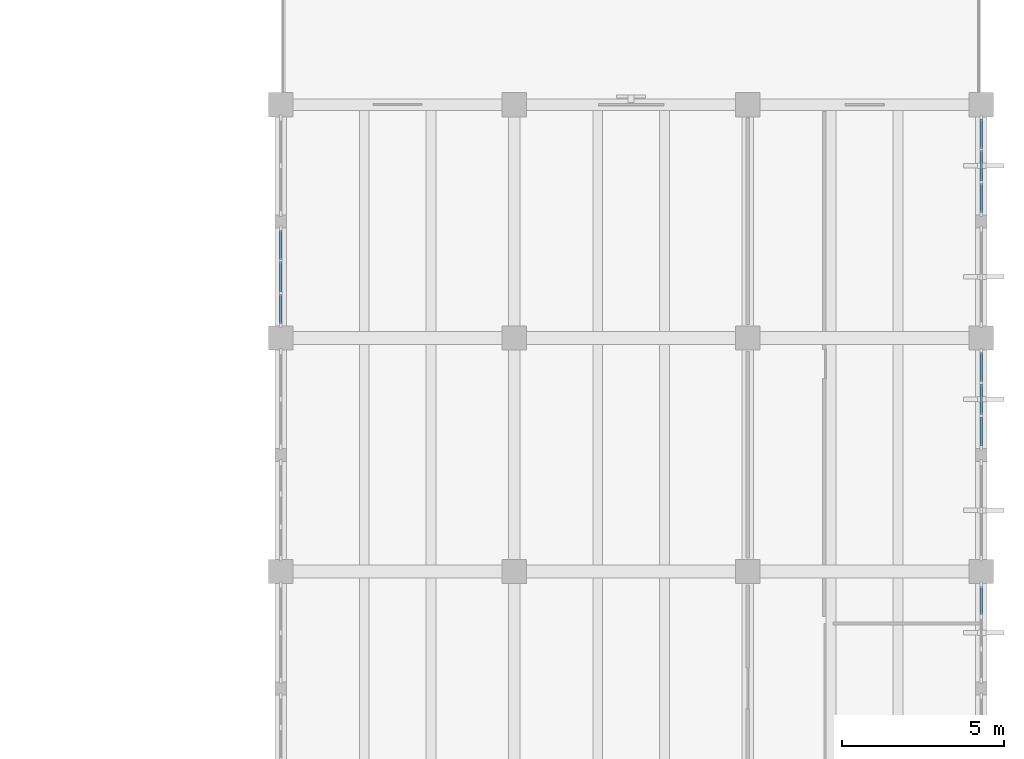
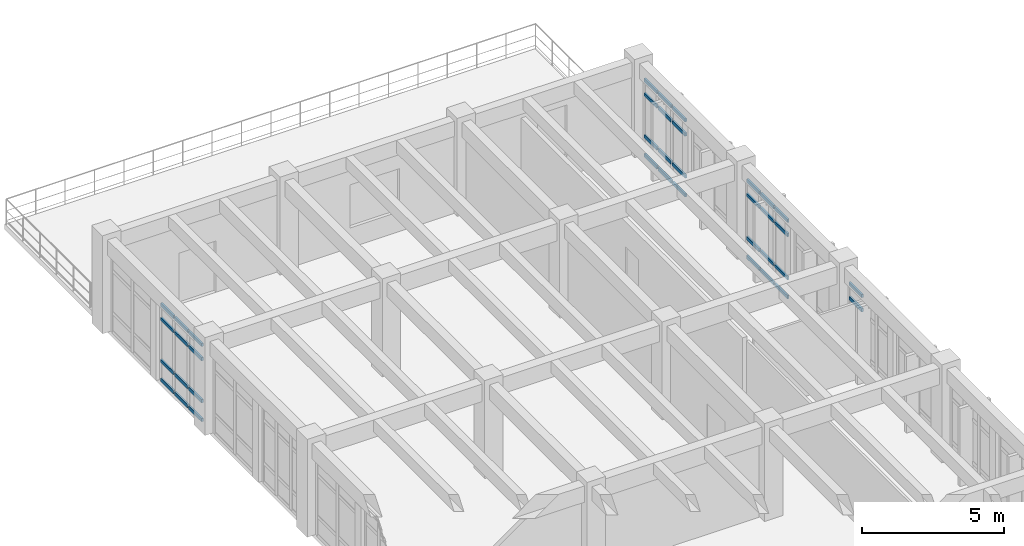
# One storey, part 74 of 136: 38 members, 4 elements without a shape of their own.
"""IFC4 building model written with IfcOpenShell, lengths in metres."""

from ifc_helpers import new_model, si_unit, direction, frame, origin, origin_2d, place, context, subcontext, project, spatial, rectangle, extrude, material, layer, layer_set, material_profile, profile_set, type_object, element, aggregate, save


model = new_model("IFC4")

# Units and contexts
model_context = context("Model", 3, precision=1e-05, world=origin(), true_north=direction((0.0, 1.0)))
body_context = subcontext(model_context, "Body", "Model", "MODEL_VIEW")
ifc_project = project(units=[si_unit("LENGTHUNIT", "METRE"), si_unit("AREAUNIT", "SQUARE_METRE"), si_unit("VOLUMEUNIT", "CUBIC_METRE"), si_unit("PLANEANGLEUNIT", "RADIAN"), si_unit("MASSUNIT", "GRAM", prefix="KILO")], contexts=[model_context])

# Site, building, storey
site_placement = place(None, origin())
site = spatial("IfcSite", under=ifc_project, at=site_placement, CompositionType="ELEMENT")
building_placement = place(site_placement, origin())
building = spatial("IfcBuilding", under=site, at=building_placement, Name="Koriwan Promenade Central Fire Station", CompositionType="ELEMENT")
storey_placement = place(building_placement, frame((0.0, 0.0, 5.39990234375)))
storey = spatial("IfcBuildingStorey", under=building, at=storey_placement, Name="L01", CompositionType="ELEMENT", Elevation=5.39990234375)

# Curtain wall, members
ifc_material_1 = material(Name="Aluminium EN AW-6063-T6 and low-E glazing", Category="aluminium")
ifc_layer_1 = layer(ifc_material_1, 0.159912109375, Name="Aluminium EN AW-6063-T6 and low-E glazing")
ifc_layer_set_1 = layer_set([ifc_layer_1], Name="Aluminium EN AW-6063-T6 and low-E glazing")
curtain_wall_type_1 = type_object("IfcCurtainWallType", Name="CurtainWall_71_303x330", PredefinedType="USERDEFINED", material=ifc_layer_set_1)
curtain_wall_1_placement = place(storey_placement, origin())
curtain_wall_1 = element("IfcCurtainWall", 1, at=curtain_wall_1_placement, inside=storey, type_object=curtain_wall_type_1, Name="V5 L01 unitised curtain wall 187", ObjectType="UNITISED CURTAIN WALL", PredefinedType="USERDEFINED")
ifc_material_2 = material(Name="Aluminium EN AW-6063-T6", Category="aluminium")
ifc_material_profile = material_profile(ifc_material_2, rectangle(XDim=0.074951171875, YDim=0.139892578125, at=origin_2d()), Name="ALU-TRN-75x140")
ifc_profile_set = profile_set([ifc_material_profile], Name="Aluminium EN AW-6063-T6")
member_type = type_object("IfcMemberType", Name="CWTransom_ALU-TRN-75x140", PredefinedType="USERDEFINED", material=ifc_profile_set)
member_1_placement = place(storey_placement, frame((151.199951171875, 65.25, 0.03759765625), z_axis=(0.0, 1.0, 0.0), x_axis=(-1.0, 0.0, 0.0)))
member_1 = element("IfcMember", 2, at=member_1_placement, type_object=member_type, Name="CW-71 transom 1.1", ObjectType="TRANSOM", PredefinedType="USERDEFINED", context=body_context, shape_type="SweptSolid", body=[
    extrude(rectangle(XDim=0.074951171875, YDim=0.139892578125, at=origin_2d()), origin(), (0.0, 0.0, 1.0), 0.895751953125),
])
member_2_placement = place(storey_placement, frame((151.199951171875, 65.25, 0.85009765625), z_axis=(0.0, 1.0, 0.0), x_axis=(-1.0, 0.0, 0.0)))
member_2 = element("IfcMember", 3, at=member_2_placement, type_object=member_type, Name="CW-71 transom 1.2", ObjectType="TRANSOM", PredefinedType="USERDEFINED", context=body_context, shape_type="SweptSolid", body=[
    extrude(rectangle(XDim=0.074951171875, YDim=0.139892578125, at=origin_2d()), origin(), (0.0, 0.0, 1.0), 0.895751953125),
])
member_3_placement = place(storey_placement, frame((151.199951171875, 65.25, 2.650146484375), z_axis=(0.0, 1.0, 0.0), x_axis=(-1.0, 0.0, 0.0)))
member_3 = element("IfcMember", 4, at=member_3_placement, type_object=member_type, Name="CW-71 transom 1.3", ObjectType="TRANSOM", PredefinedType="USERDEFINED", context=body_context, shape_type="SweptSolid", body=[
    extrude(rectangle(XDim=0.074951171875, YDim=0.139892578125, at=origin_2d()), origin(), (0.0, 0.0, 1.0), 0.895751953125),
])
member_4_placement = place(storey_placement, frame((151.199951171875, 65.25, 3.2626953125), z_axis=(0.0, 1.0, 0.0), x_axis=(-1.0, 0.0, 0.0)))
member_4 = element("IfcMember", 5, at=member_4_placement, type_object=member_type, Name="CW-71 transom 1.4", ObjectType="TRANSOM", PredefinedType="USERDEFINED", context=body_context, shape_type="SweptSolid", body=[
    extrude(rectangle(XDim=0.074951171875, YDim=0.139892578125, at=origin_2d()), origin(), (0.0, 0.0, 1.0), 0.895751953125),
])
member_5_placement = place(storey_placement, frame((151.199951171875, 66.220947265625, 0.03759765625), z_axis=(0.0, 1.0, 0.0), x_axis=(-1.0, 0.0, 0.0)))
member_5 = element("IfcMember", 6, at=member_5_placement, type_object=member_type, Name="CW-71 transom 2.1", ObjectType="TRANSOM", PredefinedType="USERDEFINED", context=body_context, shape_type="SweptSolid", body=[
    extrude(rectangle(XDim=0.074951171875, YDim=0.139892578125, at=origin_2d()), origin(), (0.0, 0.0, 1.0), 0.93310546875),
])
member_6_placement = place(storey_placement, frame((151.199951171875, 66.220947265625, 0.85009765625), z_axis=(0.0, 1.0, 0.0), x_axis=(-1.0, 0.0, 0.0)))
member_6 = element("IfcMember", 7, at=member_6_placement, type_object=member_type, Name="CW-71 transom 2.2", ObjectType="TRANSOM", PredefinedType="USERDEFINED", context=body_context, shape_type="SweptSolid", body=[
    extrude(rectangle(XDim=0.074951171875, YDim=0.139892578125, at=origin_2d()), origin(), (0.0, 0.0, 1.0), 0.93310546875),
])
member_7_placement = place(storey_placement, frame((151.199951171875, 66.220947265625, 2.650146484375), z_axis=(0.0, 1.0, 0.0), x_axis=(-1.0, 0.0, 0.0)))
member_7 = element("IfcMember", 8, at=member_7_placement, type_object=member_type, Name="CW-71 transom 2.3", ObjectType="TRANSOM", PredefinedType="USERDEFINED", context=body_context, shape_type="SweptSolid", body=[
    extrude(rectangle(XDim=0.074951171875, YDim=0.139892578125, at=origin_2d()), origin(), (0.0, 0.0, 1.0), 0.93310546875),
])
member_8_placement = place(storey_placement, frame((151.199951171875, 66.220947265625, 3.2626953125), z_axis=(0.0, 1.0, 0.0), x_axis=(-1.0, 0.0, 0.0)))
member_8 = element("IfcMember", 9, at=member_8_placement, type_object=member_type, Name="CW-71 transom 2.4", ObjectType="TRANSOM", PredefinedType="USERDEFINED", context=body_context, shape_type="SweptSolid", body=[
    extrude(rectangle(XDim=0.074951171875, YDim=0.139892578125, at=origin_2d()), origin(), (0.0, 0.0, 1.0), 0.93310546875),
])
member_9_placement = place(storey_placement, frame((151.199951171875, 67.229248046875, 0.03759765625), z_axis=(0.0, 1.0, 0.0), x_axis=(-1.0, 0.0, 0.0)))
member_9 = element("IfcMember", 10, at=member_9_placement, type_object=member_type, Name="CW-71 transom 3.1", ObjectType="TRANSOM", PredefinedType="USERDEFINED", context=body_context, shape_type="SweptSolid", body=[
    extrude(rectangle(XDim=0.074951171875, YDim=0.139892578125, at=origin_2d()), origin(), (0.0, 0.0, 1.0), 0.895751953125),
])
member_10_placement = place(storey_placement, frame((151.199951171875, 67.229248046875, 0.85009765625), z_axis=(0.0, 1.0, 0.0), x_axis=(-1.0, 0.0, 0.0)))
member_10 = element("IfcMember", 11, at=member_10_placement, type_object=member_type, Name="CW-71 transom 3.2", ObjectType="TRANSOM", PredefinedType="USERDEFINED", context=body_context, shape_type="SweptSolid", body=[
    extrude(rectangle(XDim=0.074951171875, YDim=0.139892578125, at=origin_2d()), origin(), (0.0, 0.0, 1.0), 0.895751953125),
])
member_11_placement = place(storey_placement, frame((151.199951171875, 67.229248046875, 2.650146484375), z_axis=(0.0, 1.0, 0.0), x_axis=(-1.0, 0.0, 0.0)))
member_11 = element("IfcMember", 12, at=member_11_placement, type_object=member_type, Name="CW-71 transom 3.3", ObjectType="TRANSOM", PredefinedType="USERDEFINED", context=body_context, shape_type="SweptSolid", body=[
    extrude(rectangle(XDim=0.074951171875, YDim=0.139892578125, at=origin_2d()), origin(), (0.0, 0.0, 1.0), 0.895751953125),
])
member_12_placement = place(storey_placement, frame((151.199951171875, 67.229248046875, 3.2626953125), z_axis=(0.0, 1.0, 0.0), x_axis=(-1.0, 0.0, 0.0)))
member_12 = element("IfcMember", 13, at=member_12_placement, type_object=member_type, Name="CW-71 transom 3.4", ObjectType="TRANSOM", PredefinedType="USERDEFINED", context=body_context, shape_type="SweptSolid", body=[
    extrude(rectangle(XDim=0.074951171875, YDim=0.139892578125, at=origin_2d()), origin(), (0.0, 0.0, 1.0), 0.895751953125),
])
aggregate(curtain_wall_1, [member_1, member_2, member_3, member_4, member_5, member_6, member_7, member_8, member_9, member_10, member_11, member_12])

curtain_wall_2_placement = place(storey_placement, origin())
curtain_wall_2 = element("IfcCurtainWall", 14, at=curtain_wall_2_placement, inside=storey, type_object=curtain_wall_type_1, Name="V5 L01 unitised curtain wall 189", ObjectType="UNITISED CURTAIN WALL", PredefinedType="USERDEFINED")
member_13_placement = place(storey_placement, frame((172.800048828125, 71.550048828125, 0.03759765625), z_axis=(0.0, -1.0, 0.0), x_axis=(1.0, 0.0, 0.0)))
member_13 = element("IfcMember", 15, at=member_13_placement, type_object=member_type, Name="CW-71 transom 1.1", ObjectType="TRANSOM", PredefinedType="USERDEFINED", context=body_context, shape_type="SweptSolid", body=[
    extrude(rectangle(XDim=0.074951171875, YDim=0.139892578125, at=origin_2d()), origin(), (0.0, 0.0, 1.0), 0.89599609375),
])
member_14_placement = place(storey_placement, frame((172.800048828125, 71.550048828125, 0.85009765625), z_axis=(0.0, -1.0, 0.0), x_axis=(1.0, 0.0, 0.0)))
member_14 = element("IfcMember", 16, at=member_14_placement, type_object=member_type, Name="CW-71 transom 1.2", ObjectType="TRANSOM", PredefinedType="USERDEFINED", context=body_context, shape_type="SweptSolid", body=[
    extrude(rectangle(XDim=0.074951171875, YDim=0.139892578125, at=origin_2d()), origin(), (0.0, 0.0, 1.0), 0.89599609375),
])
member_15_placement = place(storey_placement, frame((172.800048828125, 71.550048828125, 2.650146484375), z_axis=(0.0, -1.0, 0.0), x_axis=(1.0, 0.0, 0.0)))
member_15 = element("IfcMember", 17, at=member_15_placement, type_object=member_type, Name="CW-71 transom 1.3", ObjectType="TRANSOM", PredefinedType="USERDEFINED", context=body_context, shape_type="SweptSolid", body=[
    extrude(rectangle(XDim=0.074951171875, YDim=0.139892578125, at=origin_2d()), origin(), (0.0, 0.0, 1.0), 0.89599609375),
])
member_16_placement = place(storey_placement, frame((172.800048828125, 71.550048828125, 3.2626953125), z_axis=(0.0, -1.0, 0.0), x_axis=(1.0, 0.0, 0.0)))
member_16 = element("IfcMember", 18, at=member_16_placement, type_object=member_type, Name="CW-71 transom 1.4", ObjectType="TRANSOM", PredefinedType="USERDEFINED", context=body_context, shape_type="SweptSolid", body=[
    extrude(rectangle(XDim=0.074951171875, YDim=0.139892578125, at=origin_2d()), origin(), (0.0, 0.0, 1.0), 0.89599609375),
])
member_17_placement = place(storey_placement, frame((172.800048828125, 70.5791015625, 0.03759765625), z_axis=(0.0, -1.0, 0.0), x_axis=(1.0, 0.0, 0.0)))
member_17 = element("IfcMember", 19, at=member_17_placement, type_object=member_type, Name="CW-71 transom 2.1", ObjectType="TRANSOM", PredefinedType="USERDEFINED", context=body_context, shape_type="SweptSolid", body=[
    extrude(rectangle(XDim=0.074951171875, YDim=0.139892578125, at=origin_2d()), origin(), (0.0, 0.0, 1.0), 0.933349609375),
])
member_18_placement = place(storey_placement, frame((172.800048828125, 70.5791015625, 0.85009765625), z_axis=(0.0, -1.0, 0.0), x_axis=(1.0, 0.0, 0.0)))
member_18 = element("IfcMember", 20, at=member_18_placement, type_object=member_type, Name="CW-71 transom 2.2", ObjectType="TRANSOM", PredefinedType="USERDEFINED", context=body_context, shape_type="SweptSolid", body=[
    extrude(rectangle(XDim=0.074951171875, YDim=0.139892578125, at=origin_2d()), origin(), (0.0, 0.0, 1.0), 0.933349609375),
])
member_19_placement = place(storey_placement, frame((172.800048828125, 70.5791015625, 2.650146484375), z_axis=(0.0, -1.0, 0.0), x_axis=(1.0, 0.0, 0.0)))
member_19 = element("IfcMember", 21, at=member_19_placement, type_object=member_type, Name="CW-71 transom 2.3", ObjectType="TRANSOM", PredefinedType="USERDEFINED", context=body_context, shape_type="SweptSolid", body=[
    extrude(rectangle(XDim=0.074951171875, YDim=0.139892578125, at=origin_2d()), origin(), (0.0, 0.0, 1.0), 0.933349609375),
])
member_20_placement = place(storey_placement, frame((172.800048828125, 70.5791015625, 3.2626953125), z_axis=(0.0, -1.0, 0.0), x_axis=(1.0, 0.0, 0.0)))
member_20 = element("IfcMember", 22, at=member_20_placement, type_object=member_type, Name="CW-71 transom 2.4", ObjectType="TRANSOM", PredefinedType="USERDEFINED", context=body_context, shape_type="SweptSolid", body=[
    extrude(rectangle(XDim=0.074951171875, YDim=0.139892578125, at=origin_2d()), origin(), (0.0, 0.0, 1.0), 0.933349609375),
])
member_21_placement = place(storey_placement, frame((172.800048828125, 69.57080078125, 0.03759765625), z_axis=(0.0, -1.0, 0.0), x_axis=(1.0, 0.0, 0.0)))
member_21 = element("IfcMember", 23, at=member_21_placement, type_object=member_type, Name="CW-71 transom 3.1", ObjectType="TRANSOM", PredefinedType="USERDEFINED", context=body_context, shape_type="SweptSolid", body=[
    extrude(rectangle(XDim=0.074951171875, YDim=0.139892578125, at=origin_2d()), origin(), (0.0, 0.0, 1.0), 0.895751953125),
])
member_22_placement = place(storey_placement, frame((172.800048828125, 69.57080078125, 0.85009765625), z_axis=(0.0, -1.0, 0.0), x_axis=(1.0, 0.0, 0.0)))
member_22 = element("IfcMember", 24, at=member_22_placement, type_object=member_type, Name="CW-71 transom 3.2", ObjectType="TRANSOM", PredefinedType="USERDEFINED", context=body_context, shape_type="SweptSolid", body=[
    extrude(rectangle(XDim=0.074951171875, YDim=0.139892578125, at=origin_2d()), origin(), (0.0, 0.0, 1.0), 0.895751953125),
])
member_23_placement = place(storey_placement, frame((172.800048828125, 69.57080078125, 2.650146484375), z_axis=(0.0, -1.0, 0.0), x_axis=(1.0, 0.0, 0.0)))
member_23 = element("IfcMember", 25, at=member_23_placement, type_object=member_type, Name="CW-71 transom 3.3", ObjectType="TRANSOM", PredefinedType="USERDEFINED", context=body_context, shape_type="SweptSolid", body=[
    extrude(rectangle(XDim=0.074951171875, YDim=0.139892578125, at=origin_2d()), origin(), (0.0, 0.0, 1.0), 0.895751953125),
])
member_24_placement = place(storey_placement, frame((172.800048828125, 69.57080078125, 3.2626953125), z_axis=(0.0, -1.0, 0.0), x_axis=(1.0, 0.0, 0.0)))
member_24 = element("IfcMember", 26, at=member_24_placement, type_object=member_type, Name="CW-71 transom 3.4", ObjectType="TRANSOM", PredefinedType="USERDEFINED", context=body_context, shape_type="SweptSolid", body=[
    extrude(rectangle(XDim=0.074951171875, YDim=0.139892578125, at=origin_2d()), origin(), (0.0, 0.0, 1.0), 0.895751953125),
])
aggregate(curtain_wall_2, [member_13, member_14, member_15, member_16, member_17, member_18, member_19, member_20, member_21, member_22, member_23, member_24])

ifc_layer_2 = layer(ifc_material_1, 0.159912109375, Name="Aluminium EN AW-6063-T6 and low-E glazing")
ifc_layer_set_2 = layer_set([ifc_layer_2], Name="Aluminium EN AW-6063-T6 and low-E glazing")
curtain_wall_type_2 = type_object("IfcCurtainWallType", Name="CurtainWall_69_302x335", PredefinedType="USERDEFINED", material=ifc_layer_set_2)
curtain_wall_3_placement = place(storey_placement, origin())
curtain_wall_3 = element("IfcCurtainWall", 27, at=curtain_wall_3_placement, inside=storey, type_object=curtain_wall_type_2, Name="V5 L01 unitised curtain wall 191", ObjectType="UNITISED CURTAIN WALL", PredefinedType="USERDEFINED")
member_25_placement = place(storey_placement, frame((172.800048828125, 64.35009765625, 0.03759765625), z_axis=(0.0, -1.0, 0.0), x_axis=(1.0, 0.0, 0.0)))
member_25 = element("IfcMember", 28, at=member_25_placement, type_object=member_type, Name="CW-69 transom 1.1", ObjectType="TRANSOM", PredefinedType="USERDEFINED", context=body_context, shape_type="SweptSolid", body=[
    extrude(rectangle(XDim=0.074951171875, YDim=0.139892578125, at=origin_2d()), origin(), (0.0, 0.0, 1.0), 0.89599609375),
])
member_26_placement = place(storey_placement, frame((172.800048828125, 64.35009765625, 0.85009765625), z_axis=(0.0, -1.0, 0.0), x_axis=(1.0, 0.0, 0.0)))
member_26 = element("IfcMember", 29, at=member_26_placement, type_object=member_type, Name="CW-69 transom 1.2", ObjectType="TRANSOM", PredefinedType="USERDEFINED", context=body_context, shape_type="SweptSolid", body=[
    extrude(rectangle(XDim=0.074951171875, YDim=0.139892578125, at=origin_2d()), origin(), (0.0, 0.0, 1.0), 0.89599609375),
])
member_27_placement = place(storey_placement, frame((172.800048828125, 64.35009765625, 2.7001953125), z_axis=(0.0, -1.0, 0.0), x_axis=(1.0, 0.0, 0.0)))
member_27 = element("IfcMember", 30, at=member_27_placement, type_object=member_type, Name="CW-69 transom 1.3", ObjectType="TRANSOM", PredefinedType="USERDEFINED", context=body_context, shape_type="SweptSolid", body=[
    extrude(rectangle(XDim=0.074951171875, YDim=0.139892578125, at=origin_2d()), origin(), (0.0, 0.0, 1.0), 0.89599609375),
])
member_28_placement = place(storey_placement, frame((172.800048828125, 64.35009765625, 3.3125), z_axis=(0.0, -1.0, 0.0), x_axis=(1.0, 0.0, 0.0)))
member_28 = element("IfcMember", 31, at=member_28_placement, type_object=member_type, Name="CW-69 transom 1.4", ObjectType="TRANSOM", PredefinedType="USERDEFINED", context=body_context, shape_type="SweptSolid", body=[
    extrude(rectangle(XDim=0.074951171875, YDim=0.139892578125, at=origin_2d()), origin(), (0.0, 0.0, 1.0), 0.89599609375),
])
member_29_placement = place(storey_placement, frame((172.800048828125, 63.379150390625, 0.03759765625), z_axis=(0.0, -1.0, 0.0), x_axis=(1.0, 0.0, 0.0)))
member_29 = element("IfcMember", 32, at=member_29_placement, type_object=member_type, Name="CW-69 transom 2.1", ObjectType="TRANSOM", PredefinedType="USERDEFINED", context=body_context, shape_type="SweptSolid", body=[
    extrude(rectangle(XDim=0.074951171875, YDim=0.139892578125, at=origin_2d()), origin(), (0.0, 0.0, 1.0), 0.933349609375),
])
member_30_placement = place(storey_placement, frame((172.800048828125, 63.379150390625, 0.85009765625), z_axis=(0.0, -1.0, 0.0), x_axis=(1.0, 0.0, 0.0)))
member_30 = element("IfcMember", 33, at=member_30_placement, type_object=member_type, Name="CW-69 transom 2.2", ObjectType="TRANSOM", PredefinedType="USERDEFINED", context=body_context, shape_type="SweptSolid", body=[
    extrude(rectangle(XDim=0.074951171875, YDim=0.139892578125, at=origin_2d()), origin(), (0.0, 0.0, 1.0), 0.933349609375),
])
member_31_placement = place(storey_placement, frame((172.800048828125, 63.379150390625, 2.7001953125), z_axis=(0.0, -1.0, 0.0), x_axis=(1.0, 0.0, 0.0)))
member_31 = element("IfcMember", 34, at=member_31_placement, type_object=member_type, Name="CW-69 transom 2.3", ObjectType="TRANSOM", PredefinedType="USERDEFINED", context=body_context, shape_type="SweptSolid", body=[
    extrude(rectangle(XDim=0.074951171875, YDim=0.139892578125, at=origin_2d()), origin(), (0.0, 0.0, 1.0), 0.933349609375),
])
member_32_placement = place(storey_placement, frame((172.800048828125, 63.379150390625, 3.3125), z_axis=(0.0, -1.0, 0.0), x_axis=(1.0, 0.0, 0.0)))
member_32 = element("IfcMember", 35, at=member_32_placement, type_object=member_type, Name="CW-69 transom 2.4", ObjectType="TRANSOM", PredefinedType="USERDEFINED", context=body_context, shape_type="SweptSolid", body=[
    extrude(rectangle(XDim=0.074951171875, YDim=0.139892578125, at=origin_2d()), origin(), (0.0, 0.0, 1.0), 0.933349609375),
])
member_33_placement = place(storey_placement, frame((172.800048828125, 62.370849609375, 0.03759765625), z_axis=(0.0, -1.0, 0.0), x_axis=(1.0, 0.0, 0.0)))
member_33 = element("IfcMember", 36, at=member_33_placement, type_object=member_type, Name="CW-69 transom 3.1", ObjectType="TRANSOM", PredefinedType="USERDEFINED", context=body_context, shape_type="SweptSolid", body=[
    extrude(rectangle(XDim=0.074951171875, YDim=0.139892578125, at=origin_2d()), origin(), (0.0, 0.0, 1.0), 0.895751953125),
])
member_34_placement = place(storey_placement, frame((172.800048828125, 62.370849609375, 0.85009765625), z_axis=(0.0, -1.0, 0.0), x_axis=(1.0, 0.0, 0.0)))
member_34 = element("IfcMember", 37, at=member_34_placement, type_object=member_type, Name="CW-69 transom 3.2", ObjectType="TRANSOM", PredefinedType="USERDEFINED", context=body_context, shape_type="SweptSolid", body=[
    extrude(rectangle(XDim=0.074951171875, YDim=0.139892578125, at=origin_2d()), origin(), (0.0, 0.0, 1.0), 0.895751953125),
])
member_35_placement = place(storey_placement, frame((172.800048828125, 62.370849609375, 2.7001953125), z_axis=(0.0, -1.0, 0.0), x_axis=(1.0, 0.0, 0.0)))
member_35 = element("IfcMember", 38, at=member_35_placement, type_object=member_type, Name="CW-69 transom 3.3", ObjectType="TRANSOM", PredefinedType="USERDEFINED", context=body_context, shape_type="SweptSolid", body=[
    extrude(rectangle(XDim=0.074951171875, YDim=0.139892578125, at=origin_2d()), origin(), (0.0, 0.0, 1.0), 0.895751953125),
])
member_36_placement = place(storey_placement, frame((172.800048828125, 62.370849609375, 3.3125), z_axis=(0.0, -1.0, 0.0), x_axis=(1.0, 0.0, 0.0)))
member_36 = element("IfcMember", 39, at=member_36_placement, type_object=member_type, Name="CW-69 transom 3.4", ObjectType="TRANSOM", PredefinedType="USERDEFINED", context=body_context, shape_type="SweptSolid", body=[
    extrude(rectangle(XDim=0.074951171875, YDim=0.139892578125, at=origin_2d()), origin(), (0.0, 0.0, 1.0), 0.895751953125),
])
aggregate(curtain_wall_3, [member_25, member_26, member_27, member_28, member_29, member_30, member_31, member_32, member_33, member_34, member_35, member_36])

ifc_layer_3 = layer(ifc_material_1, 0.159912109375, Name="Aluminium EN AW-6063-T6 and low-E glazing")
ifc_layer_set_3 = layer_set([ifc_layer_3], Name="Aluminium EN AW-6063-T6 and low-E glazing")
curtain_wall_type_3 = type_object("IfcCurtainWallType", Name="CurtainWall_62_302x329", PredefinedType="USERDEFINED", material=ifc_layer_set_3)
curtain_wall_4_placement = place(storey_placement, origin())
curtain_wall_4 = element("IfcCurtainWall", 40, at=curtain_wall_4_placement, inside=storey, type_object=curtain_wall_type_3, Name="V5 L01 unitised curtain wall 193", ObjectType="UNITISED CURTAIN WALL", PredefinedType="USERDEFINED")
member_37_placement = place(storey_placement, frame((172.800048828125, 57.14990234375, 2.64013671875), z_axis=(0.0, -1.0, 0.0), x_axis=(1.0, 0.0, 0.0)))
member_37 = element("IfcMember", 41, at=member_37_placement, type_object=member_type, Name="CW-62 transom 1.3", ObjectType="TRANSOM", PredefinedType="USERDEFINED", context=body_context, shape_type="SweptSolid", body=[
    extrude(rectangle(XDim=0.074951171875, YDim=0.139892578125, at=origin_2d()), origin(), (0.0, 0.0, 1.0), 0.895751953125),
])
member_38_placement = place(storey_placement, frame((172.800048828125, 57.14990234375, 3.252685546875), z_axis=(0.0, -1.0, 0.0), x_axis=(1.0, 0.0, 0.0)))
member_38 = element("IfcMember", 42, at=member_38_placement, type_object=member_type, Name="CW-62 transom 1.4", ObjectType="TRANSOM", PredefinedType="USERDEFINED", context=body_context, shape_type="SweptSolid", body=[
    extrude(rectangle(XDim=0.074951171875, YDim=0.139892578125, at=origin_2d()), origin(), (0.0, 0.0, 1.0), 0.895751953125),
])
aggregate(curtain_wall_4, [member_37, member_38])

save(model, "model.ifc")
